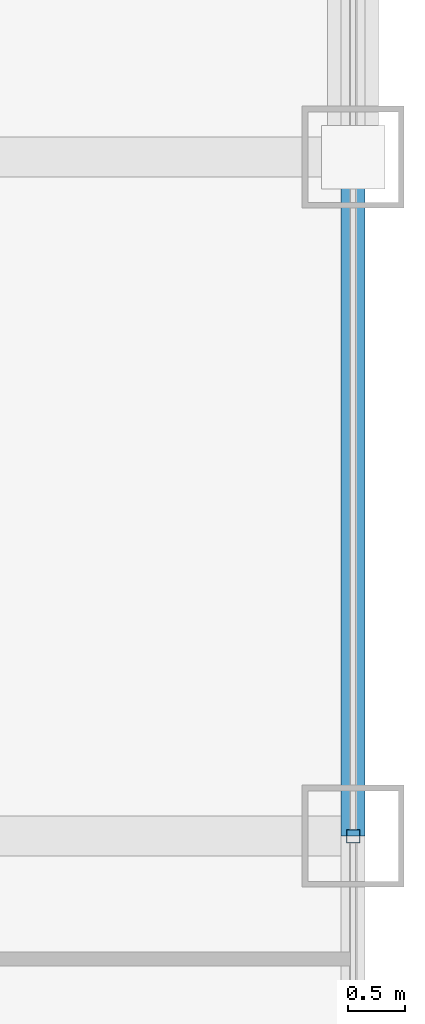
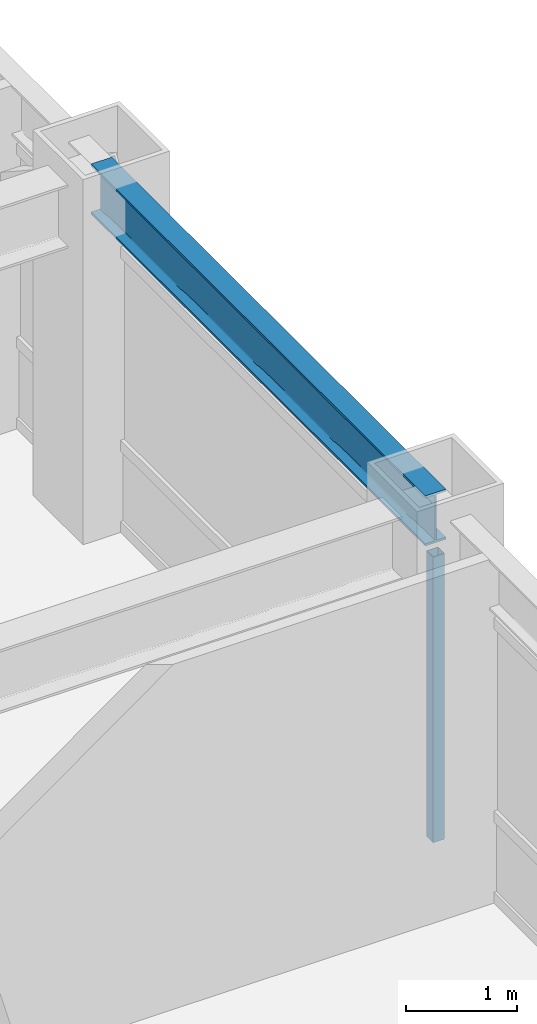
# One storey, part 10 of 27: 1 beam, 1 member, 1 element without a shape of its own.
"""IFC4 building model written with IfcOpenShell, lengths in metres."""

from ifc_helpers import new_model, si_unit, direction, frame, origin, origin_2d, place, context, subcontext, project, spatial, hollow_rectangle, i_section, extrude, source, transform, mapped, material, material_profile, profile_set, type_object, element, aggregate, save


model = new_model("IFC4")

# Units and contexts
model_context = context("Model", 3, precision=1e-05, world=origin(), true_north=direction((0.0, 1.0)))
body_context = subcontext(model_context, "Body", "Model", "MODEL_VIEW")
ifc_project = project(units=[si_unit("LENGTHUNIT", "METRE"), si_unit("AREAUNIT", "SQUARE_METRE"), si_unit("VOLUMEUNIT", "CUBIC_METRE"), si_unit("PLANEANGLEUNIT", "RADIAN"), si_unit("MASSUNIT", "GRAM", prefix="KILO")], contexts=[model_context])

# Site, building, storey
site_placement = place(None, origin())
site = spatial("IfcSite", under=ifc_project, at=site_placement, CompositionType="ELEMENT")
building_placement = place(site_placement, origin())
building = spatial("IfcBuilding", under=site, at=building_placement, Name="Khorayat Bourse Tower", CompositionType="ELEMENT")
storey_placement = place(building_placement, frame((0.0, 0.0, 281.5)))
storey = spatial("IfcBuildingStorey", under=building, at=storey_placement, Name="L66", CompositionType="ELEMENT", Elevation=281.5)

# Beam
ifc_material_1 = material(Name="Steel ASTM A992 Grade 50", Category="steel")
ifc_material_profile_1 = material_profile(ifc_material_1, i_section(OverallWidth=0.214111328125, OverallDepth=0.549072265625, WebThickness=0.0146484375, FlangeThickness=0.023681640625, FilletRadius=0.013916015625, at=origin_2d()), Name="W530X138")
ifc_profile_set_1 = profile_set([ifc_material_profile_1], Name="Steel ASTM A992 Grade 50")
beam_type = type_object("IfcBeamType", Name="BM-SPAN-530", PredefinedType="SPANDREL", material=ifc_profile_set_1)
shared_shape_1 = source(origin(), body_context, "Body", "SweptSolid", [
    extrude(i_section(OverallWidth=0.214111328125, OverallDepth=0.549072265625, WebThickness=0.0146484375, FlangeThickness=0.023681640625, FilletRadius=0.013916015625, at=origin_2d()), origin(), (0.0, 0.0, 1.0), 6.0),
])
beam_placement = place(storey_placement, frame((28.0, 0.0, 3.505615234375), z_axis=(0.0, 1.0, 0.0), x_axis=(-1.0, 0.0, 0.0)))
element("IfcBeam", 1, at=beam_placement, inside=storey, type_object=beam_type, Name="L66 BM-SPAN-530 BM-L66-SPN-038", PredefinedType="SPANDREL", context=body_context, shape_type="MappedRepresentation", body=[
    mapped(shared_shape_1, transform((0.0, 0.0, 0.0), scale=1.0)),
])

# Curtain wall, member
ifc_material_2 = material(Name="Aluminium EN AW-6063 T6", Category="aluminium")
curtain_wall_type = type_object("IfcCurtainWallType", Name="CW-SYS-04", PredefinedType="NOTDEFINED", material=ifc_material_2)
curtain_wall_placement = place(storey_placement, origin())
curtain_wall = element("IfcCurtainWall", 2, at=curtain_wall_placement, inside=storey, type_object=curtain_wall_type, Name="L66 Curtain Wall CW-L66-E1", PredefinedType="NOTDEFINED")
ifc_material_profile_2 = material_profile(ifc_material_2, hollow_rectangle(XDim=0.1201171875, YDim=0.1201171875, WallThickness=0.0048828125, at=origin_2d()), Name="ALU 120x120x5")
ifc_profile_set_2 = profile_set([ifc_material_profile_2], Name="Aluminium EN AW-6063 T6")
member_type = type_object("IfcMemberType", Name="CWM-VERT-120", PredefinedType="MULLION", material=ifc_profile_set_2)
shared_shape_2 = source(origin(), body_context, "Body", "SweptSolid", [
    extrude(hollow_rectangle(XDim=0.1201171875, YDim=0.1201171875, WallThickness=0.0048828125, at=origin_2d()), origin(), (0.0, 0.0, 1.0), 3.1298828125),
])
member_placement = place(storey_placement, frame((28.0, 0.0, 0.0), z_axis=(0.0, 0.0, 1.0), x_axis=(-1.0, 0.0, 0.0)))
member = element("IfcMember", 3, at=member_placement, type_object=member_type, Name="CW-L66-E1 Vertical Mullion 2", PredefinedType="MULLION", context=body_context, shape_type="MappedRepresentation", body=[
    mapped(shared_shape_2, transform((0.0, 0.0, 0.0), scale=1.0)),
])
aggregate(curtain_wall, [member])

save(model, "model.ifc")
